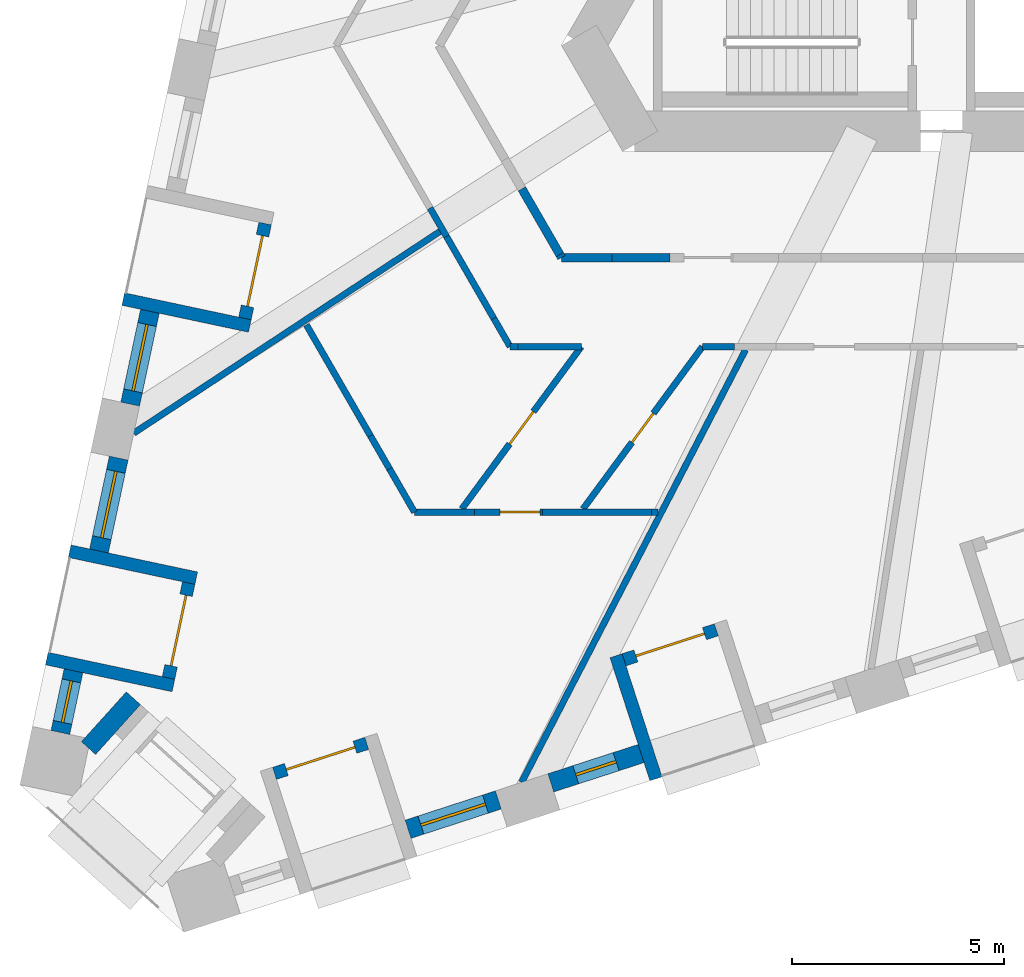
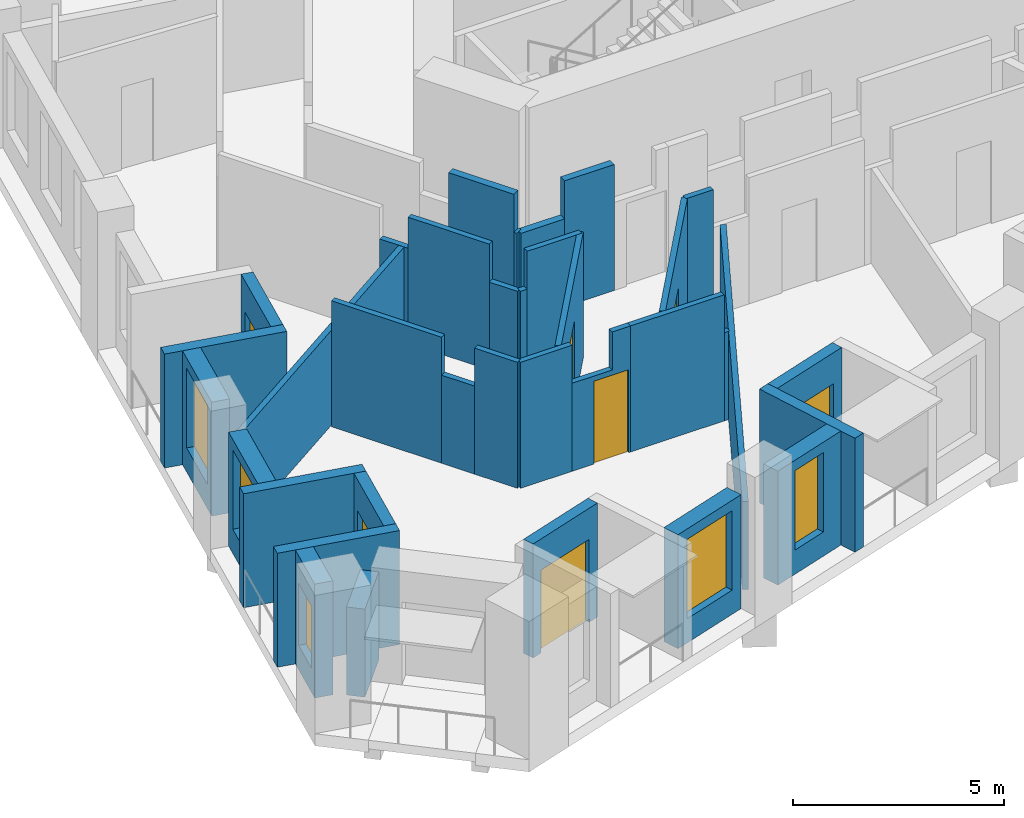
# One storey, part 2 of 12: 35 walls, 7 doors, 5 windows, 12 openings.
"""IFC4 building model written with IfcOpenShell, lengths in metres."""

from ifc_helpers import new_model, si_unit, direction, frame, frame_2d, origin, place, context, subcontext, project, spatial, polyline, rectangle, outline, extrude, material, layer, layer_set, type_object, element, fill, save


model = new_model("IFC4")

# Units and contexts
model_context = context("Model", 3, precision=1e-05, world=origin(), true_north=direction((0.0, 1.0)))
body_context = subcontext(model_context, "Body", "Model", "MODEL_VIEW")
ifc_project = project(units=[si_unit("LENGTHUNIT", "METRE"), si_unit("AREAUNIT", "SQUARE_METRE"), si_unit("VOLUMEUNIT", "CUBIC_METRE"), si_unit("PLANEANGLEUNIT", "RADIAN"), si_unit("MASSUNIT", "GRAM", prefix="KILO")], contexts=[model_context])

# Site, building, storey
site_placement = place(None, origin())
site = spatial("IfcSite", under=ifc_project, at=site_placement, CompositionType="ELEMENT")
building_placement = place(site_placement, origin())
building = spatial("IfcBuilding", under=site, at=building_placement, Name="Tramontana Tower", CompositionType="ELEMENT")
storey_placement = place(building_placement, frame((0.0, 0.0, 88.39990234375)))
storey = spatial("IfcBuildingStorey", under=building, at=storey_placement, Name="L19", CompositionType="ELEMENT", Elevation=88.39990234375)

# Walls
ifc_material_1 = material(Name="Blockwork", Category="masonry")
ifc_layer_1 = layer(ifc_material_1, 0.199951171875)
ifc_layer_set_1 = layer_set([ifc_layer_1], Name="ENTRY WALL 200")
wall_type_1 = type_object("IfcWallType", Name="ENTRY WALL 200", PredefinedType="SOLIDWALL", material=ifc_layer_set_1)
wall_1_placement = place(storey_placement, frame((-7.695556640625, -9.25, 0.0), z_axis=(0.0, 0.0, 1.0), x_axis=(-1.0, 0.0, 0.0)))
element("IfcWall", 1, at=wall_1_placement, inside=storey, type_object=wall_type_1, Name="Wall v20-ew2-10", PredefinedType="SOLIDWALL", context=body_context, shape_type="SweptSolid", body=[
    extrude(rectangle(XDim=1.3603515625, YDim=0.199951171875, at=frame_2d((0.68017578125, 0.0))), origin(), (0.0, 0.0, 1.0), 3.650146484375),
])
wall_2_placement = place(storey_placement, frame((-9.055908203125, -9.25, 0.0), z_axis=(0.0, 0.0, 1.0), x_axis=(-1.0, 0.0, 0.0)))
element("IfcWall", 2, at=wall_2_placement, inside=storey, type_object=wall_type_1, Name="Wall v20-ew2-11", PredefinedType="SOLIDWALL", context=body_context, shape_type="SweptSolid", body=[
    extrude(rectangle(XDim=1.192138671875, YDim=0.199951171875, at=frame_2d((0.59619140625, 0.0))), origin(), (0.0, 0.0, 1.0), 2.550048828125),
])
wall_3_placement = place(storey_placement, frame((-10.248046875, -9.25, 0.0), z_axis=(0.0, 0.0, 1.0), x_axis=(-0.499103811596, 0.866542200502, 0.0)))
element("IfcWall", 3, at=wall_3_placement, inside=storey, type_object=wall_type_1, Name="Wall v20-ew3-0", PredefinedType="SOLIDWALL", context=body_context, shape_type="SweptSolid", body=[
    extrude(rectangle(XDim=0.079833984375, YDim=0.199951171875, at=frame_2d((0.0400390625, 0.0))), origin(), (0.0, 0.0, 1.0), 2.550048828125),
])
wall_4_placement = place(storey_placement, frame((-10.287841796875, -9.180908203125, 0.0), z_axis=(0.0, 0.0, 1.0), x_axis=(-0.499986405537, 0.866033252409, 0.0)))
element("IfcWall", 4, at=wall_4_placement, inside=storey, type_object=wall_type_1, Name="Wall v20-ew3-1", PredefinedType="SOLIDWALL", context=body_context, shape_type="SweptSolid", body=[
    extrude(rectangle(XDim=1.7880859375, YDim=0.199951171875, at=frame_2d((0.89404296875, 0.0))), origin(), (0.0, 0.0, 1.0), 3.650146484375),
])

# Wall, opening, window
ifc_material_2 = material(Name="Precast concrete 60 MPa", Category="concrete")
ifc_layer_2 = layer(ifc_material_2, 0.449951171875)
ifc_layer_set_2 = layer_set([ifc_layer_2], Name="Precast concrete 60 MPa, 450 mm")
wall_type_2 = type_object("IfcWallType", Name="EW1 Stone-faced precast wall 450", PredefinedType="SOLIDWALL", material=ifc_layer_set_2)
wall_5_placement = place(storey_placement, frame((-19.947265625, -10.516357421875, 0.0), z_axis=(0.0, 0.0, 1.0), x_axis=(-0.207941001029, -0.978141370197, 0.0)))
wall_5 = element("IfcWall", 5, at=wall_5_placement, inside=storey, type_object=wall_type_2, Name="External wall L19 face 0 bay 5", PredefinedType="SOLIDWALL", context=body_context, shape_type="SweptSolid", body=[
    extrude(rectangle(XDim=2.236572265625, YDim=0.449951171875, at=frame_2d((1.1181640625, 0.0))), origin(), (0.0, 0.0, 1.0), 3.300048828125),
])
opening_1_placement = place(wall_5_placement, frame((0.318359375, 0.0, 0.699951171875)))
opening_1 = element("IfcOpeningElement", 6, at=opening_1_placement, cuts=wall_5, Name="Opening M1", PredefinedType="OPENING", context=body_context, shape_type="SweptSolid", body=[
    extrude(rectangle(XDim=1.60009765625, YDim=2.300048828125, at=frame_2d((0.800048828125, 1.14990234375))), frame((0.0, 0.23486328125, 0.0), z_axis=(0.0, -1.0, 0.0), x_axis=(1.0, 0.0, 0.0)), (0.0, 0.0, 1.0), 0.469970703125),
])
ifc_material_3 = material(Name="Aluminum frame, double glazing unit", Category="aluminium")
window_type_1 = type_object("IfcWindowType", Name="M1 Window 1.6 x 2.3", PartitioningType="SINGLE_PANEL", PredefinedType="WINDOW", material=ifc_material_3)
window_1_placement = place(opening_1_placement, origin())
window_1 = element("IfcWindow", 7, at=window_1_placement, inside=storey, type_object=window_type_1, Name="Window M1 L19 face 0 module 15", OverallHeight=2.300048828125, OverallWidth=1.60009765625, PartitioningType="SINGLE_PANEL", PredefinedType="WINDOW", context=body_context, shape_type="SweptSolid", body=[
    extrude(rectangle(XDim=1.60009765625, YDim=2.300048828125, at=frame_2d((0.800048828125, 1.14990234375))), frame((0.0, 0.030029296875, 0.0), z_axis=(0.0, -1.0, 0.0), x_axis=(1.0, 0.0, 0.0)), (0.0, 0.0, 1.0), 0.06005859375),
])
fill(opening_1, window_1)

wall_6_placement = place(storey_placement, frame((-20.6826171875, -13.975830078125, 0.0), z_axis=(0.0, 0.0, 1.0), x_axis=(-0.207941001029, -0.978141370197, 0.0)))
wall_6 = element("IfcWall", 8, at=wall_6_placement, inside=storey, type_object=wall_type_2, Name="External wall L19 face 0 bay 6", PredefinedType="SOLIDWALL", context=body_context, shape_type="SweptSolid", body=[
    extrude(rectangle(XDim=2.236572265625, YDim=0.449951171875, at=frame_2d((1.1181640625, 0.0))), origin(), (0.0, 0.0, 1.0), 3.300048828125),
])
opening_2_placement = place(wall_6_placement, frame((0.318359375, 0.0, 0.699951171875)))
opening_2 = element("IfcOpeningElement", 9, at=opening_2_placement, cuts=wall_6, Name="Opening M1", PredefinedType="OPENING", context=body_context, shape_type="SweptSolid", body=[
    extrude(rectangle(XDim=1.60009765625, YDim=2.300048828125, at=frame_2d((0.800048828125, 1.14990234375))), frame((0.0, 0.23486328125, 0.0), z_axis=(0.0, -1.0, 0.0), x_axis=(1.0, 0.0, 0.0)), (0.0, 0.0, 1.0), 0.469970703125),
])
window_2_placement = place(opening_2_placement, origin())
window_2 = element("IfcWindow", 10, at=window_2_placement, inside=storey, type_object=window_type_1, Name="Window M1 L19 face 0 module 16", OverallHeight=2.300048828125, OverallWidth=1.60009765625, PartitioningType="SINGLE_PANEL", PredefinedType="WINDOW", context=body_context, shape_type="SweptSolid", body=[
    extrude(rectangle(XDim=1.60009765625, YDim=2.300048828125, at=frame_2d((0.800048828125, 1.14990234375))), frame((0.0, 0.030029296875, 0.0), z_axis=(0.0, -1.0, 0.0), x_axis=(1.0, 0.0, 0.0)), (0.0, 0.0, 1.0), 0.06005859375),
])
fill(opening_2, window_2)

wall_7_placement = place(storey_placement, frame((-21.747802734375, -18.9873046875, 0.0), z_axis=(0.0, 0.0, 1.0), x_axis=(-0.208037456693, -0.978120859921, 0.0)))
wall_7 = element("IfcWall", 11, at=wall_7_placement, inside=storey, type_object=wall_type_2, Name="External wall L19 face 0 bay 6", PredefinedType="SOLIDWALL", context=body_context, shape_type="SweptSolid", body=[
    extrude(rectangle(XDim=1.48681640625, YDim=0.449951171875, at=frame_2d((0.743408203125, 0.0))), origin(), (0.0, 0.0, 1.0), 3.300048828125),
])
opening_3_placement = place(wall_7_placement, frame((0.243408203125, 0.0, 0.699951171875)))
opening_3 = element("IfcOpeningElement", 12, at=opening_3_placement, cuts=wall_7, Name="Opening N1L", PredefinedType="OPENING", context=body_context, shape_type="SweptSolid", body=[
    extrude(rectangle(XDim=1.0, YDim=1.800048828125, at=frame_2d((0.5, 0.89990234375))), frame((0.0, 0.23486328125, 0.0), z_axis=(0.0, -1.0, 0.0), x_axis=(1.0, 0.0, 0.0)), (0.0, 0.0, 1.0), 0.469970703125),
])
ifc_material_4 = material(Name="Aluminum frame, double glazing unit", Category="aluminium")
window_type_2 = type_object("IfcWindowType", Name="N1L Window 1 x 1.8", PartitioningType="SINGLE_PANEL", PredefinedType="WINDOW", material=ifc_material_4)
window_3_placement = place(opening_3_placement, origin())
window_3 = element("IfcWindow", 13, at=window_3_placement, inside=storey, type_object=window_type_2, Name="Window N1L L19 face 0 module 18", OverallHeight=1.800048828125, OverallWidth=1.0, PartitioningType="SINGLE_PANEL", PredefinedType="WINDOW", context=body_context, shape_type="SweptSolid", body=[
    extrude(rectangle(XDim=1.0, YDim=1.800048828125, at=frame_2d((0.5, 0.89990234375))), frame((0.0, 0.030029296875, 0.0), z_axis=(0.0, -1.0, 0.0), x_axis=(1.0, 0.0, 0.0)), (0.0, 0.0, 1.0), 0.06005859375),
])
fill(opening_3, window_3)

wall_8_placement = place(storey_placement, frame((-13.864501953125, -22.721435546875, 0.0), z_axis=(0.0, 0.0, 1.0), x_axis=(0.951057328329, 0.30901449518, 0.0)))
wall_8 = element("IfcWall", 14, at=wall_8_placement, inside=storey, type_object=wall_type_2, Name="External wall L19 face 1 bay 1", PredefinedType="SOLIDWALL", context=body_context, shape_type="SweptSolid", body=[
    extrude(rectangle(XDim=2.236572265625, YDim=0.449951171875, at=frame_2d((1.1181640625, 0.0))), origin(), (0.0, 0.0, 1.0), 3.300048828125),
])
opening_4_placement = place(wall_8_placement, frame((0.318359375, 0.0, 0.699951171875)))
opening_4 = element("IfcOpeningElement", 15, at=opening_4_placement, cuts=wall_8, Name="Opening M1", PredefinedType="OPENING", context=body_context, shape_type="SweptSolid", body=[
    extrude(rectangle(XDim=1.60009765625, YDim=2.300048828125, at=frame_2d((0.800048828125, 1.14990234375))), frame((0.0, 0.23486328125, 0.0), z_axis=(0.0, -1.0, 0.0), x_axis=(1.0, 0.0, 0.0)), (0.0, 0.0, 1.0), 0.469970703125),
])
window_4_placement = place(opening_4_placement, origin())
window_4 = element("IfcWindow", 16, at=window_4_placement, inside=storey, type_object=window_type_1, Name="Window M1 L19 face 1 module 3", OverallHeight=2.300048828125, OverallWidth=1.60009765625, PartitioningType="SINGLE_PANEL", PredefinedType="WINDOW", context=body_context, shape_type="SweptSolid", body=[
    extrude(rectangle(XDim=1.60009765625, YDim=2.300048828125, at=frame_2d((0.800048828125, 1.14990234375))), frame((0.0, 0.030029296875, 0.0), z_axis=(0.0, -1.0, 0.0), x_axis=(1.0, 0.0, 0.0)), (0.0, 0.0, 1.0), 0.06005859375),
])
fill(opening_4, window_4)

wall_9_placement = place(storey_placement, frame((-10.5009765625, -21.62841796875, 0.0), z_axis=(0.0, 0.0, 1.0), x_axis=(0.951067749801, 0.30898241906, 0.0)))
wall_9 = element("IfcWall", 17, at=wall_9_placement, inside=storey, type_object=wall_type_2, Name="External wall L19 face 1 bay 2", PredefinedType="SOLIDWALL", context=body_context, shape_type="SweptSolid", body=[
    extrude(rectangle(XDim=2.23681640625, YDim=0.449951171875, at=frame_2d((1.118408203125, 0.0))), origin(), (0.0, 0.0, 1.0), 3.300048828125),
])
opening_5_placement = place(wall_9_placement, frame((0.618408203125, 0.0, 0.699951171875)))
opening_5 = element("IfcOpeningElement", 18, at=opening_5_placement, cuts=wall_9, Name="Opening N1", PredefinedType="OPENING", context=body_context, shape_type="SweptSolid", body=[
    extrude(rectangle(XDim=1.0, YDim=2.300048828125, at=frame_2d((0.5, 1.14990234375))), frame((0.0, 0.23486328125, 0.0), z_axis=(0.0, -1.0, 0.0), x_axis=(1.0, 0.0, 0.0)), (0.0, 0.0, 1.0), 0.469970703125),
])
ifc_material_5 = material(Name="Aluminum frame, double glazing unit", Category="aluminium")
window_type_3 = type_object("IfcWindowType", Name="N1 Window 1 x 2.3", PartitioningType="SINGLE_PANEL", PredefinedType="WINDOW", material=ifc_material_5)
window_5_placement = place(opening_5_placement, origin())
window_5 = element("IfcWindow", 19, at=window_5_placement, inside=storey, type_object=window_type_3, Name="Window N1 L19 face 1 module 4", OverallHeight=2.300048828125, OverallWidth=1.0, PartitioningType="SINGLE_PANEL", PredefinedType="WINDOW", context=body_context, shape_type="SweptSolid", body=[
    extrude(rectangle(XDim=1.0, YDim=2.300048828125, at=frame_2d((0.5, 1.14990234375))), frame((0.0, 0.030029296875, 0.0), z_axis=(0.0, -1.0, 0.0), x_axis=(1.0, 0.0, 0.0)), (0.0, 0.0, 1.0), 0.06005859375),
])
fill(opening_5, window_5)

# Wall
wall_10_placement = place(storey_placement, frame((-21.393798828125, -20.808837890625, 0.0), z_axis=(0.0, 0.0, 1.0), x_axis=(0.669109923521, 0.743163447867, 0.0)))
element("IfcWall", 20, at=wall_10_placement, inside=storey, type_object=wall_type_2, Name="Corner loggia side wall L19 K21r", PredefinedType="SOLIDWALL", context=body_context, shape_type="SweptSolid", body=[
    extrude(rectangle(XDim=1.5791015625, YDim=0.449951171875, at=frame_2d((0.78955078125, 0.0))), origin(), (0.0, 0.0, 1.0), 2.550048828125),
])

# Wall, opening, door
ifc_material_6 = material(Name="Precast concrete 60 MPa", Category="concrete")
ifc_layer_3 = layer(ifc_material_6, 0.300048828125)
ifc_layer_set_3 = layer_set([ifc_layer_3], Name="LW1 Stone-faced loggia wall 300")
wall_type_3 = type_object("IfcWallType", Name="LW1 Stone-faced loggia wall 300", PredefinedType="SOLIDWALL", material=ifc_layer_set_3)
wall_11_placement = place(storey_placement, frame((-17.233154296875, -8.44873046875, 0.0), z_axis=(0.0, 0.0, 1.0), x_axis=(-0.207866417042, -0.978157222877, 0.0)))
wall_11 = element("IfcWall", 21, at=wall_11_placement, inside=storey, type_object=wall_type_3, Name="Loggia wall L19 G2S0.13", PredefinedType="SOLIDWALL", context=body_context, shape_type="SweptSolid", body=[
    extrude(rectangle(XDim=2.286865234375, YDim=0.300048828125, at=frame_2d((1.1435546875, 0.0))), origin(), (0.0, 0.0, 1.0), 3.300048828125),
])
opening_6_placement = place(wall_11_placement, frame((0.29345703125, 0.0, 0.0)))
opening_6 = element("IfcOpeningElement", 22, at=opening_6_placement, cuts=wall_11, Name="Opening BD-2S0-13", PredefinedType="OPENING", context=body_context, shape_type="SweptSolid", body=[
    extrude(rectangle(XDim=1.699951171875, YDim=2.39990234375, at=frame_2d((0.85009765625, 1.199951171875))), frame((0.0, 0.159912109375, 0.0), z_axis=(0.0, -1.0, 0.0), x_axis=(1.0, 0.0, 0.0)), (0.0, 0.0, 1.0), 0.320068359375),
])
ifc_material_7 = material(Name="Aluminum frame, double glazing unit", Category="aluminium")
door_type_1 = type_object("IfcDoorType", Name="BD1 Sliding door 1.7 x 2.4", OperationType="SLIDING_TO_LEFT", PredefinedType="DOOR", material=ifc_material_7)
door_1_placement = place(opening_6_placement, origin())
door_1 = element("IfcDoor", 23, at=door_1_placement, inside=storey, type_object=door_type_1, Name="Loggia door L19 G2S0.13", OperationType="SLIDING_TO_LEFT", OverallHeight=2.39990234375, OverallWidth=1.699951171875, PredefinedType="DOOR", context=body_context, shape_type="SweptSolid", body=[
    extrude(rectangle(XDim=1.699951171875, YDim=2.39990234375, at=frame_2d((0.85009765625, 1.199951171875))), frame((0.0, 0.02490234375, 0.0), z_axis=(0.0, -1.0, 0.0), x_axis=(1.0, 0.0, 0.0)), (0.0, 0.0, 1.0), 0.050048828125),
])
fill(opening_6, door_1)

# Wall
wall_12_placement = place(storey_placement, frame((-20.576416015625, -10.229248046875, 0.0), z_axis=(0.0, 0.0, 1.0), x_axis=(0.978154782045, -0.207877902534, 0.0)))
element("IfcWall", 24, at=wall_12_placement, inside=storey, type_object=wall_type_3, Name="Loggia return L19 G2S0.13b", PredefinedType="SOLIDWALL", context=body_context, shape_type="SweptSolid", body=[
    extrude(rectangle(XDim=3.050048828125, YDim=0.300048828125, at=frame_2d((1.52490234375, 0.0))), origin(), (0.0, 0.0, 1.0), 3.300048828125),
])

# Wall, opening, door
wall_13_placement = place(storey_placement, frame((-19.03369140625, -16.919677734375, 0.0), z_axis=(0.0, 0.0, 1.0), x_axis=(-0.207968563016, -0.978135510447, 0.0)))
wall_13 = element("IfcWall", 25, at=wall_13_placement, inside=storey, type_object=wall_type_3, Name="Loggia wall L19 G2S0.16", PredefinedType="SOLIDWALL", context=body_context, shape_type="SweptSolid", body=[
    extrude(rectangle(XDim=2.286865234375, YDim=0.300048828125, at=frame_2d((1.1435546875, 0.0))), origin(), (0.0, 0.0, 1.0), 3.300048828125),
])
opening_7_placement = place(wall_13_placement, frame((0.29345703125, 0.0, 0.0)))
opening_7 = element("IfcOpeningElement", 26, at=opening_7_placement, cuts=wall_13, Name="Opening BD-2S0-16", PredefinedType="OPENING", context=body_context, shape_type="SweptSolid", body=[
    extrude(rectangle(XDim=1.699951171875, YDim=2.39990234375, at=frame_2d((0.85009765625, 1.199951171875))), frame((0.0, 0.159912109375, 0.0), z_axis=(0.0, -1.0, 0.0), x_axis=(1.0, 0.0, 0.0)), (0.0, 0.0, 1.0), 0.320068359375),
])
door_2_placement = place(opening_7_placement, origin())
door_2 = element("IfcDoor", 27, at=door_2_placement, inside=storey, type_object=door_type_1, Name="Loggia door L19 G2S0.16", OperationType="SLIDING_TO_LEFT", OverallHeight=2.39990234375, OverallWidth=1.699951171875, PredefinedType="DOOR", context=body_context, shape_type="SweptSolid", body=[
    extrude(rectangle(XDim=1.699951171875, YDim=2.39990234375, at=frame_2d((0.85009765625, 1.199951171875))), frame((0.0, 0.02490234375, 0.0), z_axis=(0.0, -1.0, 0.0), x_axis=(1.0, 0.0, 0.0)), (0.0, 0.0, 1.0), 0.050048828125),
])
fill(opening_7, door_2)

# Walls
for number, where, z_axis, x_axis, name in (
    (28, (-21.839111328125, -16.169921875, 0.0), (0.0, 0.0, 1.0), (0.978138503145, -0.207954487003, 0.0), "Loggia return L19 G2S0.16a"),
    (29, (-22.376953125, -18.7001953125, 0.0), (0.0, 0.0, 1.0), (0.978154782045, -0.207877902534, 0.0), "Loggia return L19 G2S0.16b"),
):
    element("IfcWall", number, at=place(storey_placement, frame(where, z_axis=z_axis, x_axis=x_axis)), inside=storey, type_object=wall_type_3, Name=name, PredefinedType="SOLIDWALL", context=body_context, shape_type="SweptSolid", body=[
        extrude(rectangle(XDim=3.050048828125, YDim=0.300048828125, at=frame_2d((1.52490234375, 0.0))), origin(), (0.0, 0.0, 1.0), 3.300048828125),
    ])

# Wall, opening, door
wall_14_placement = place(storey_placement, frame((-17.01220703125, -21.40478515625, 0.0), z_axis=(0.0, 0.0, 1.0), x_axis=(0.95103720697, 0.309076416051, 0.0)))
wall_14 = element("IfcWall", 30, at=wall_14_placement, inside=storey, type_object=wall_type_3, Name="Loggia wall L19 G2S1.1", PredefinedType="SOLIDWALL", context=body_context, shape_type="SweptSolid", body=[
    extrude(rectangle(XDim=2.286865234375, YDim=0.300048828125, at=frame_2d((1.1435546875, 0.0))), origin(), (0.0, 0.0, 1.0), 3.300048828125),
])
opening_8_placement = place(wall_14_placement, frame((0.29345703125, 0.0, 0.0)))
opening_8 = element("IfcOpeningElement", 31, at=opening_8_placement, cuts=wall_14, Name="Opening BD-2S1-01", PredefinedType="OPENING", context=body_context, shape_type="SweptSolid", body=[
    extrude(rectangle(XDim=1.699951171875, YDim=2.39990234375, at=frame_2d((0.85009765625, 1.199951171875))), frame((0.0, 0.159912109375, 0.0), z_axis=(0.0, -1.0, 0.0), x_axis=(1.0, 0.0, 0.0)), (0.0, 0.0, 1.0), 0.320068359375),
])
door_3_placement = place(opening_8_placement, origin())
door_3 = element("IfcDoor", 32, at=door_3_placement, inside=storey, type_object=door_type_1, Name="Loggia door L19 G2S1.1", OperationType="SLIDING_TO_LEFT", OverallHeight=2.39990234375, OverallWidth=1.699951171875, PredefinedType="DOOR", context=body_context, shape_type="SweptSolid", body=[
    extrude(rectangle(XDim=1.699951171875, YDim=2.39990234375, at=frame_2d((0.85009765625, 1.199951171875))), frame((0.0, 0.02490234375, 0.0), z_axis=(0.0, -1.0, 0.0), x_axis=(1.0, 0.0, 0.0)), (0.0, 0.0, 1.0), 0.050048828125),
])
fill(opening_8, door_3)

wall_15_placement = place(storey_placement, frame((-8.77587890625, -18.728515625, 0.0), z_axis=(0.0, 0.0, 1.0), x_axis=(0.951068585107, 0.308979847923, 0.0)))
wall_15 = element("IfcWall", 33, at=wall_15_placement, inside=storey, type_object=wall_type_3, Name="Loggia wall L19 G2S1.4", PredefinedType="SOLIDWALL", context=body_context, shape_type="SweptSolid", body=[
    extrude(rectangle(XDim=2.28662109375, YDim=0.300048828125, at=frame_2d((1.143310546875, 0.0))), origin(), (0.0, 0.0, 1.0), 3.300048828125),
])
opening_9_placement = place(wall_15_placement, frame((0.29345703125, 0.0, 0.0)))
opening_9 = element("IfcOpeningElement", 34, at=opening_9_placement, cuts=wall_15, Name="Opening BD-2S1-04", PredefinedType="OPENING", context=body_context, shape_type="SweptSolid", body=[
    extrude(rectangle(XDim=1.699951171875, YDim=2.39990234375, at=frame_2d((0.85009765625, 1.199951171875))), frame((0.0, 0.159912109375, 0.0), z_axis=(0.0, -1.0, 0.0), x_axis=(1.0, 0.0, 0.0)), (0.0, 0.0, 1.0), 0.320068359375),
])
door_4_placement = place(opening_9_placement, origin())
door_4 = element("IfcDoor", 35, at=door_4_placement, inside=storey, type_object=door_type_1, Name="Loggia door L19 G2S1.4", OperationType="SLIDING_TO_LEFT", OverallHeight=2.39990234375, OverallWidth=1.699951171875, PredefinedType="DOOR", context=body_context, shape_type="SweptSolid", body=[
    extrude(rectangle(XDim=1.699951171875, YDim=2.39990234375, at=frame_2d((0.85009765625, 1.199951171875))), frame((0.0, 0.02490234375, 0.0), z_axis=(0.0, -1.0, 0.0), x_axis=(1.0, 0.0, 0.0)), (0.0, 0.0, 1.0), 0.050048828125),
])
fill(opening_9, door_4)

# Walls
wall_16_placement = place(storey_placement, frame((-8.0224609375, -21.532958984375, 0.0), z_axis=(0.0, 0.0, 1.0), x_axis=(-0.308990138358, 0.951065241925, 0.0)))
element("IfcWall", 36, at=wall_16_placement, inside=storey, type_object=wall_type_3, Name="Loggia return L19 G2S1.4a", PredefinedType="SOLIDWALL", context=body_context, shape_type="SweptSolid", body=[
    extrude(rectangle(XDim=3.0498046875, YDim=0.300048828125, at=frame_2d((1.52490234375, 0.0))), origin(), (0.0, 0.0, 1.0), 3.300048828125),
])
ifc_material_8 = material(Name="Gypsum board partition")
ifc_layer_4 = layer(ifc_material_8, 0.14990234375)
ifc_layer_set_4 = layer_set([ifc_layer_4], Name="PARTITION 150")
wall_type_4 = type_object("IfcWallType", Name="PARTITION 150", PredefinedType="PARTITIONING", material=ifc_layer_set_4)
wall_17_placement = place(storey_placement, frame((-20.327392578125, -13.38671875, 0.0), z_axis=(0.0, 0.0, 1.0), x_axis=(0.835168014777, 0.549994897334, 0.0)))
element("IfcWall", 37, at=wall_17_placement, inside=storey, type_object=wall_type_4, Name="Wall v20-pw00-0", PredefinedType="PARTITIONING", context=body_context, shape_type="SweptSolid", body=[
    extrude(rectangle(XDim=8.637451171875, YDim=0.14990234375, at=frame_2d((4.31884765625, 0.0))), origin(), (0.0, 0.0, 1.0), 2.75),
])
wall_18_placement = place(storey_placement, frame((-13.712158203125, -15.25, 0.0), z_axis=(0.0, 0.0, 1.0), x_axis=(-0.499907924584, 0.866078557025, 0.0)))
element("IfcWall", 38, at=wall_18_placement, inside=storey, type_object=wall_type_4, Name="Wall v20-pw03-0", PredefinedType="PARTITIONING", context=body_context, shape_type="SweptSolid", body=[
    extrude(rectangle(XDim=1.177490234375, YDim=0.14990234375, at=frame_2d((0.5888671875, 0.0))), origin(), (0.0, 0.0, 1.0), 3.650146484375),
])
wall_19_placement = place(storey_placement, frame((-14.30078125, -14.230224609375, 0.0), z_axis=(0.0, 0.0, 1.0), x_axis=(-0.499988457423, 0.866032067792, 0.0)))
element("IfcWall", 39, at=wall_19_placement, inside=storey, type_object=wall_type_4, Name="Wall v20-pw03-1", PredefinedType="PARTITIONING", context=body_context, shape_type="SweptSolid", body=[
    extrude(rectangle(XDim=0.900390625, YDim=0.14990234375, at=frame_2d((0.4501953125, 0.0))), origin(), (0.0, 0.0, 1.0), 2.550048828125),
])
wall_20_placement = place(storey_placement, frame((-14.7509765625, -13.450439453125, 0.0), z_axis=(0.0, 0.0, 1.0), x_axis=(-0.499979445284, 0.86603727073, 0.0)))
element("IfcWall", 40, at=wall_20_placement, inside=storey, type_object=wall_type_4, Name="Wall v20-pw03-2", PredefinedType="PARTITIONING", context=body_context, shape_type="SweptSolid", body=[
    extrude(rectangle(XDim=3.015380859375, YDim=0.14990234375, at=frame_2d((1.5078125, 0.0))), origin(), (0.0, 0.0, 1.0), 3.650146484375),
])

# Wall, opening, door
wall_21_placement = place(storey_placement, frame((-12.599365234375, -15.175048828125, 0.0), z_axis=(0.0, 0.0, 1.0), x_axis=(0.592829004129, 0.805328362758, 0.0)))
wall_21 = element("IfcWall", 41, at=wall_21_placement, inside=storey, type_object=wall_type_4, Name="Wall v20-pw05", PredefinedType="PARTITIONING", context=body_context, shape_type="SweptSolid", body=[
    extrude(rectangle(XDim=4.74951171875, YDim=0.14990234375, at=frame_2d((2.374755859375, 0.0))), origin(), (0.0, 0.0, 1.0), 3.650146484375),
])
opening_10_placement = place(wall_21_placement, frame((1.89990234375, 0.0, 0.0)))
opening_10 = element("IfcOpeningElement", 42, at=opening_10_placement, cuts=wall_21, Name="Opening B2A-08", PredefinedType="OPENING", context=body_context, shape_type="SweptSolid", body=[
    extrude(rectangle(XDim=0.949951171875, YDim=2.39990234375, at=frame_2d((0.47509765625, 1.199951171875))), frame((0.0, 0.0849609375, 0.0), z_axis=(0.0, -1.0, 0.0), x_axis=(1.0, 0.0, 0.0)), (0.0, 0.0, 1.0), 0.169921875),
])
ifc_material_9 = material(Name="Painted timber", Category="wood")
door_type_2 = type_object("IfcDoorType", Name="DOOR ROOM 950", OperationType="SINGLE_SWING_LEFT", PredefinedType="DOOR", material=ifc_material_9)
door_5_placement = place(opening_10_placement, origin())
door_5 = element("IfcDoor", 43, at=door_5_placement, inside=storey, type_object=door_type_2, Name="Door B2A-08", OperationType="SINGLE_SWING_RIGHT", OverallHeight=2.39990234375, OverallWidth=0.949951171875, PredefinedType="DOOR", context=body_context, shape_type="SweptSolid", body=[
    extrude(rectangle(XDim=0.949951171875, YDim=2.39990234375, at=frame_2d((0.47509765625, 1.199951171875))), frame((0.0, 0.02490234375, 0.0), z_axis=(0.0, -1.0, 0.0), x_axis=(1.0, 0.0, 0.0)), (0.0, 0.0, 1.0), 0.050048828125),
])
fill(opening_10, door_5)

# Walls
wall_22_placement = place(storey_placement, frame((-11.46044921875, -11.35009765625, 0.0), z_axis=(0.0, 0.0, 1.0), x_axis=(-0.49974986996, 0.866169768276, 0.0)))
element("IfcWall", 44, at=wall_22_placement, inside=storey, type_object=wall_type_4, Name="Wall v20-pw06-0", PredefinedType="PARTITIONING", context=body_context, shape_type="SweptSolid", body=[
    extrude(rectangle(XDim=0.77099609375, YDim=0.14990234375, at=frame_2d((0.385498046875, 0.0))), origin(), (0.0, 0.0, 1.0), 2.550048828125),
])
wall_23_placement = place(storey_placement, frame((-11.845703125, -10.682373046875, 0.0), z_axis=(0.0, 0.0, 1.0), x_axis=(-0.500067425712, 0.865986472032, 0.0)))
element("IfcWall", 45, at=wall_23_placement, inside=storey, type_object=wall_type_4, Name="Wall v20-pw06-1", PredefinedType="PARTITIONING", context=body_context, shape_type="SweptSolid", body=[
    extrude(rectangle(XDim=2.225830078125, YDim=0.14990234375, at=frame_2d((1.11279296875, 0.0))), origin(), (0.0, 0.0, 1.0), 3.650146484375),
])
wall_24_placement = place(storey_placement, frame((-12.958740234375, -8.7548828125, 0.0), z_axis=(0.0, 0.0, 1.0), x_axis=(-0.500031167255, 0.866007408613, 0.0)))
element("IfcWall", 46, at=wall_24_placement, inside=storey, type_object=wall_type_4, Name="Wall v20-pw06-2", PredefinedType="PARTITIONING", context=body_context, shape_type="SweptSolid", body=[
    extrude(rectangle(XDim=0.77587890625, YDim=0.14990234375, at=frame_2d((0.387939453125, 0.0))), origin(), (0.0, 0.0, 1.0), 2.75),
])
wall_25_placement = place(storey_placement, frame((-9.78369140625, -11.35009765625, 0.0), z_axis=(0.0, 0.0, 1.0), x_axis=(-1.0, 0.0, 0.0)))
element("IfcWall", 47, at=wall_25_placement, inside=storey, type_object=wall_type_4, Name="Wall v20-pw07-0", PredefinedType="PARTITIONING", context=body_context, shape_type="SweptSolid", body=[
    extrude(rectangle(XDim=1.494384765625, YDim=0.14990234375, at=frame_2d((0.7470703125, 0.0))), origin(), (0.0, 0.0, 1.0), 3.650146484375),
])
wall_26_placement = place(storey_placement, frame((-11.278076171875, -11.35009765625, 0.0), z_axis=(0.0, 0.0, 1.0), x_axis=(-1.0, 0.0, 0.0)))
element("IfcWall", 48, at=wall_26_placement, inside=storey, type_object=wall_type_4, Name="Wall v20-pw07-1", PredefinedType="PARTITIONING", context=body_context, shape_type="SweptSolid", body=[
    extrude(rectangle(XDim=0.182373046875, YDim=0.14990234375, at=frame_2d((0.09130859375, 0.0))), origin(), (0.0, 0.0, 1.0), 2.550048828125),
])
wall_27_placement = place(storey_placement, frame((-7.978271484375, -15.25, 0.0), z_axis=(0.0, 0.0, 1.0), x_axis=(-1.0, 0.0, 0.0)))
element("IfcWall", 49, at=wall_27_placement, inside=storey, type_object=wall_type_4, Name="Wall v20-pw11-0", PredefinedType="PARTITIONING", context=body_context, shape_type="SweptSolid", body=[
    extrude(rectangle(XDim=0.1552734375, YDim=0.14990234375, at=frame_2d((0.07763671875, 0.0))), origin(), (0.0, 0.0, 1.0), 2.550048828125),
])
wall_28_placement = place(storey_placement, frame((-8.133544921875, -15.25, 0.0), z_axis=(0.0, 0.0, 1.0), x_axis=(-1.0, 0.0, 0.0)))
element("IfcWall", 50, at=wall_28_placement, inside=storey, type_object=wall_type_4, Name="Wall v20-pw11-1", PredefinedType="PARTITIONING", context=body_context, shape_type="SweptSolid", body=[
    extrude(rectangle(XDim=2.568115234375, YDim=0.14990234375, at=frame_2d((1.2841796875, 0.0))), origin(), (0.0, 0.0, 1.0), 3.650146484375),
])

# Wall, opening, door
wall_29_placement = place(storey_placement, frame((-10.70166015625, -15.25, 0.0), z_axis=(0.0, 0.0, 1.0), x_axis=(-1.0, 0.0, 0.0)))
wall_29 = element("IfcWall", 51, at=wall_29_placement, inside=storey, type_object=wall_type_4, Name="Wall v20-pw11-2", PredefinedType="PARTITIONING", context=body_context, shape_type="SweptSolid", body=[
    extrude(outline(polyline([(0.0, 0.0), (1.601318359375, 0.0), (1.601318359375, 2.550048828125), (0.496826171875, 2.550048828125), (0.496826171875, 3.650146484375), (0.0, 3.650146484375), (0.0, 0.0)])), frame((0.0, 0.074951171875, 0.0), z_axis=(0.0, -1.0, 0.0), x_axis=(1.0, 0.0, 0.0)), (0.0, 0.0, 1.0), 0.14990234375),
])
opening_11_placement = place(wall_29_placement, frame((0.050048828125, 0.0, 0.0)))
opening_11 = element("IfcOpeningElement", 52, at=opening_11_placement, cuts=wall_29, Name="Opening B2A-10", PredefinedType="OPENING", context=body_context, shape_type="SweptSolid", body=[
    extrude(rectangle(XDim=0.949951171875, YDim=2.39990234375, at=frame_2d((0.47509765625, 1.199951171875))), frame((0.0, 0.0849609375, 0.0), z_axis=(0.0, -1.0, 0.0), x_axis=(1.0, 0.0, 0.0)), (0.0, 0.0, 1.0), 0.169921875),
])
door_6_placement = place(opening_11_placement, origin())
door_6 = element("IfcDoor", 53, at=door_6_placement, inside=storey, type_object=door_type_2, Name="Door B2A-10", OperationType="SINGLE_SWING_RIGHT", OverallHeight=2.39990234375, OverallWidth=0.949951171875, PredefinedType="DOOR", context=body_context, shape_type="SweptSolid", body=[
    extrude(rectangle(XDim=0.949951171875, YDim=2.39990234375, at=frame_2d((0.47509765625, 1.199951171875))), frame((0.0, 0.02490234375, 0.0), z_axis=(0.0, -1.0, 0.0), x_axis=(1.0, 0.0, 0.0)), (0.0, 0.0, 1.0), 0.050048828125),
])
fill(opening_11, door_6)

# Wall
wall_30_placement = place(storey_placement, frame((-12.302978515625, -15.25, 0.0), z_axis=(0.0, 0.0, 1.0), x_axis=(-1.0, 0.0, 0.0)))
element("IfcWall", 54, at=wall_30_placement, inside=storey, type_object=wall_type_4, Name="Wall v20-pw11-3", PredefinedType="PARTITIONING", context=body_context, shape_type="SweptSolid", body=[
    extrude(rectangle(XDim=1.408935546875, YDim=0.14990234375, at=frame_2d((0.70458984375, 0.0))), origin(), (0.0, 0.0, 1.0), 3.650146484375),
])

# Wall, opening, door
wall_31_placement = place(storey_placement, frame((-6.927490234375, -11.35009765625, 0.0), z_axis=(0.0, 0.0, 1.0), x_axis=(-0.592862340114, -0.805303821967, 0.0)))
wall_31 = element("IfcWall", 55, at=wall_31_placement, inside=storey, type_object=wall_type_4, Name="Wall v20-pw12", PredefinedType="PARTITIONING", context=body_context, shape_type="SweptSolid", body=[
    extrude(rectangle(XDim=4.749755859375, YDim=0.14990234375, at=frame_2d((2.375, 0.0))), origin(), (0.0, 0.0, 1.0), 3.650146484375),
])
opening_12_placement = place(wall_31_placement, frame((1.949951171875, 0.0, 0.0)))
opening_12 = element("IfcOpeningElement", 56, at=opening_12_placement, cuts=wall_31, Name="Opening B2A-09", PredefinedType="OPENING", context=body_context, shape_type="SweptSolid", body=[
    extrude(rectangle(XDim=0.85009765625, YDim=2.39990234375, at=frame_2d((0.425048828125, 1.199951171875))), frame((0.0, 0.0849609375, 0.0), z_axis=(0.0, -1.0, 0.0), x_axis=(1.0, 0.0, 0.0)), (0.0, 0.0, 1.0), 0.169921875),
])
ifc_material_10 = material(Name="Painted timber", Category="wood")
door_type_3 = type_object("IfcDoorType", Name="DOOR BATH 850", OperationType="SINGLE_SWING_LEFT", PredefinedType="DOOR", material=ifc_material_10)
door_7_placement = place(opening_12_placement, origin())
door_7 = element("IfcDoor", 57, at=door_7_placement, inside=storey, type_object=door_type_3, Name="Door B2A-09", OperationType="SINGLE_SWING_LEFT", OverallHeight=2.39990234375, OverallWidth=0.85009765625, PredefinedType="DOOR", context=body_context, shape_type="SweptSolid", body=[
    extrude(rectangle(XDim=0.85009765625, YDim=2.39990234375, at=frame_2d((0.425048828125, 1.199951171875))), frame((0.0, 0.02490234375, 0.0), z_axis=(0.0, -1.0, 0.0), x_axis=(1.0, 0.0, 0.0)), (0.0, 0.0, 1.0), 0.050048828125),
])
fill(opening_12, door_7)

# Walls
wall_32_placement = place(storey_placement, frame((-5.913818359375, -11.425048828125, 0.0), z_axis=(0.0, 0.0, 1.0), x_axis=(-0.45968915988, -0.888079881705, 0.0)))
element("IfcWall", 58, at=wall_32_placement, inside=storey, type_object=wall_type_4, Name="Wall v20-pw17-0", PredefinedType="PARTITIONING", context=body_context, shape_type="SweptSolid", body=[
    extrude(rectangle(XDim=11.474365234375, YDim=0.14990234375, at=frame_2d((5.7373046875, 0.0))), origin(), (0.0, 0.0, 1.0), 2.550048828125),
])
wall_33_placement = place(storey_placement, frame((-6.1787109375, -11.35009765625, 0.0), z_axis=(0.0, 0.0, 1.0), x_axis=(-1.0, 0.0, 0.0)))
element("IfcWall", 59, at=wall_33_placement, inside=storey, type_object=wall_type_4, Name="Wall v20-pw32-7", PredefinedType="PARTITIONING", context=body_context, shape_type="SweptSolid", body=[
    extrude(rectangle(XDim=0.748779296875, YDim=0.14990234375, at=frame_2d((0.37451171875, 0.0))), origin(), (0.0, 0.0, 1.0), 3.650146484375),
])

save(model, "model.ifc")
